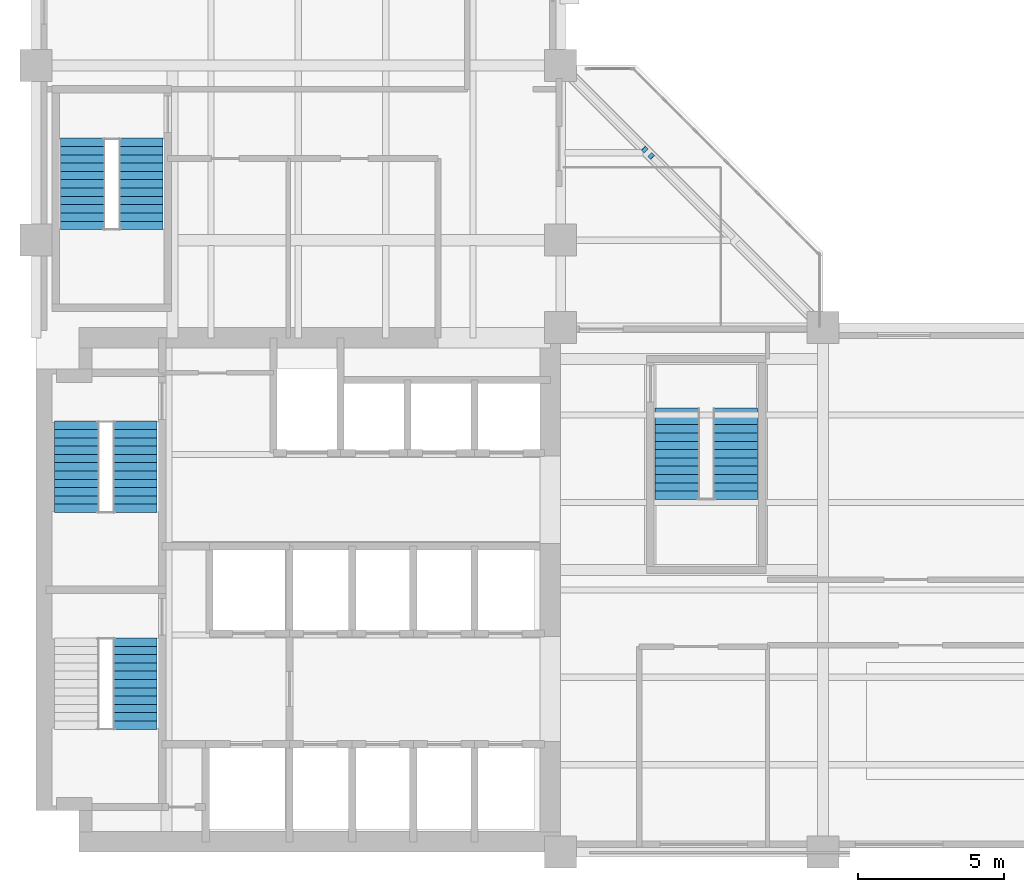
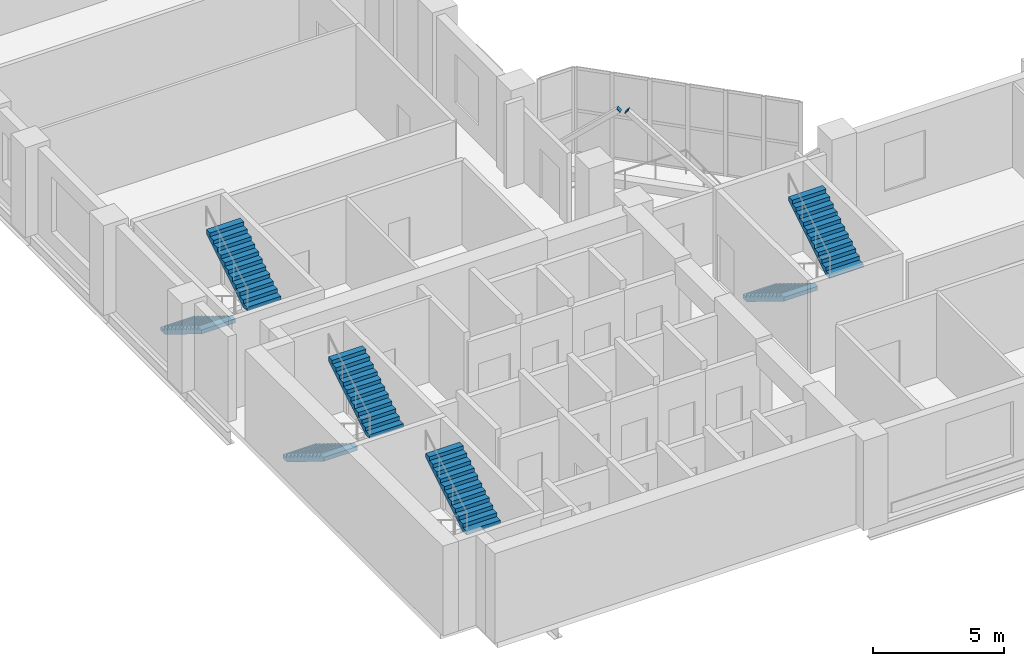
# One storey, part 8 of 10: 7 stair flights, 2 discrete accessories, 4 elements without a shape of their own.
"""IFC4 building model written with IfcOpenShell, lengths in metres."""

from ifc_helpers import new_model, si_unit, direction, frame, origin, origin_2d, place, context, subcontext, project, spatial, polyline, rectangle, outline, extrude, material, material_profile, profile_set, type_object, element, aggregate, save


model = new_model("IFC4")

# Units and contexts
model_context = context("Model", 3, precision=1e-05, world=origin(), true_north=direction((0.0, 1.0)))
body_context = subcontext(model_context, "Body", "Model", "MODEL_VIEW")
ifc_project = project(units=[si_unit("LENGTHUNIT", "METRE"), si_unit("AREAUNIT", "SQUARE_METRE"), si_unit("VOLUMEUNIT", "CUBIC_METRE"), si_unit("PLANEANGLEUNIT", "RADIAN"), si_unit("MASSUNIT", "GRAM", prefix="KILO")], contexts=[model_context])

# Site, building, storey
site_placement = place(None, origin())
site = spatial("IfcSite", under=ifc_project, at=site_placement, CompositionType="ELEMENT")
building_placement = place(site_placement, origin())
building = spatial("IfcBuilding", under=site, at=building_placement, Name="Mawjdan Bourse Tower", CompositionType="ELEMENT")
storey_placement = place(building_placement, frame((0.0, 0.0, 89.10009765625)))
storey = spatial("IfcBuildingStorey", under=building, at=storey_placement, Name="L20", CompositionType="ELEMENT", Elevation=89.10009765625)

# Stair, stair flight
ifc_material_1 = material(Name="Concrete C50/60", Category="concrete")
stair_type_1 = type_object("IfcStairType", Name="STR-CORE-1500", PredefinedType="HALF_TURN_STAIR", material=ifc_material_1)
stair_1_placement = place(storey_placement, origin())
stair_1 = element("IfcStair", 1, at=stair_1_placement, inside=storey, type_object=stair_type_1, Name="L20 Exit Stair 1 (Core South-West)", PredefinedType="HALF_TURN_STAIR")
stair_flight_type_1 = type_object("IfcStairFlightType", Name="SFL-RC-1500", PredefinedType="STRAIGHT", material=ifc_material_1)
stair_flight_1_placement = place(storey_placement, frame((9.409912109375, 7.215087890625, 2.099853515625), z_axis=(0.0, 0.0, 1.0), x_axis=(0.0, 1.0, 0.0)))
stair_flight_1 = element("IfcStairFlight", 2, at=stair_flight_1_placement, type_object=stair_flight_type_1, Name="ST1-L20 flight 2", NumberOfRisers=12, NumberOfTreads=11, PredefinedType="STRAIGHT", RiserHeight=0.175, TreadLength=0.285, context=body_context, shape_type="SweptSolid", body=[
    extrude(outline(polyline([(0.0, 0.0), (0.0, 0.175048828125), (0.284912109375, 0.175048828125), (0.284912109375, 0.35009765625), (0.570068359375, 0.35009765625), (0.570068359375, 0.52490234375), (0.85498046875, 0.52490234375), (0.85498046875, 0.699951171875), (1.139892578125, 0.699951171875), (1.139892578125, 0.875), (1.425048828125, 0.875), (1.425048828125, 1.050048828125), (1.7099609375, 1.050048828125), (1.7099609375, 1.22509765625), (1.9951171875, 1.22509765625), (1.9951171875, 1.39990234375), (2.280029296875, 1.39990234375), (2.280029296875, 1.574951171875), (2.56494140625, 1.574951171875), (2.56494140625, 1.75), (2.85009765625, 1.75), (2.85009765625, 1.925048828125), (3.135009765625, 1.925048828125), (3.135009765625, 2.10009765625), (3.135009765625, 1.7373046875), (0.3056640625, 0.0), (0.0, 0.0)])), frame((0.0, 0.75, 0.0), z_axis=(0.0, -1.0, 0.0), x_axis=(1.0, 0.0, 0.0)), (0.0, 0.0, 1.0), 1.5),
])
aggregate(stair_1, [stair_flight_1])

# Stair, stair flights
stair_2_placement = place(storey_placement, origin())
stair_2 = element("IfcStair", 3, at=stair_2_placement, inside=storey, type_object=stair_type_1, Name="L20 Exit Stair 2 (Core North-West)", PredefinedType="HALF_TURN_STAIR")
stair_flight_2_placement = place(storey_placement, frame((7.389892578125, 17.7900390625, 0.0), z_axis=(0.0, 0.0, 1.0), x_axis=(0.0, -1.0, 0.0)))
stair_flight_2 = element("IfcStairFlight", 4, at=stair_flight_2_placement, type_object=stair_flight_type_1, Name="ST2-L20 flight 1", NumberOfRisers=12, NumberOfTreads=11, PredefinedType="STRAIGHT", RiserHeight=0.175, TreadLength=0.285, context=body_context, shape_type="SweptSolid", body=[
    extrude(outline(polyline([(0.0, 0.0), (0.0, 0.175048828125), (0.284912109375, 0.175048828125), (0.284912109375, 0.35009765625), (0.570068359375, 0.35009765625), (0.570068359375, 0.52490234375), (0.85498046875, 0.52490234375), (0.85498046875, 0.699951171875), (1.139892578125, 0.699951171875), (1.139892578125, 0.875), (1.425048828125, 0.875), (1.425048828125, 1.050048828125), (1.7099609375, 1.050048828125), (1.7099609375, 1.22509765625), (1.9951171875, 1.22509765625), (1.9951171875, 1.39990234375), (2.280029296875, 1.39990234375), (2.280029296875, 1.574951171875), (2.56494140625, 1.574951171875), (2.56494140625, 1.75), (2.85009765625, 1.75), (2.85009765625, 1.925048828125), (3.135009765625, 1.925048828125), (3.135009765625, 2.10009765625), (3.135009765625, 1.7373046875), (0.3056640625, 0.0), (0.0, 0.0)])), frame((0.0, 0.75, 0.0), z_axis=(0.0, -1.0, 0.0), x_axis=(1.0, 0.0, 0.0)), (0.0, 0.0, 1.0), 1.5),
])
stair_flight_3_placement = place(storey_placement, frame((9.409912109375, 14.655029296875, 2.099853515625), z_axis=(0.0, 0.0, 1.0), x_axis=(0.0, 1.0, 0.0)))
stair_flight_3 = element("IfcStairFlight", 5, at=stair_flight_3_placement, type_object=stair_flight_type_1, Name="ST2-L20 flight 2", NumberOfRisers=12, NumberOfTreads=11, PredefinedType="STRAIGHT", RiserHeight=0.175, TreadLength=0.285, context=body_context, shape_type="SweptSolid", body=[
    extrude(outline(polyline([(0.0, 0.0), (0.0, 0.175048828125), (0.284912109375, 0.175048828125), (0.284912109375, 0.35009765625), (0.570068359375, 0.35009765625), (0.570068359375, 0.52490234375), (0.85498046875, 0.52490234375), (0.85498046875, 0.699951171875), (1.139892578125, 0.699951171875), (1.139892578125, 0.875), (1.425048828125, 0.875), (1.425048828125, 1.050048828125), (1.7099609375, 1.050048828125), (1.7099609375, 1.22509765625), (1.9951171875, 1.22509765625), (1.9951171875, 1.39990234375), (2.280029296875, 1.39990234375), (2.280029296875, 1.574951171875), (2.56494140625, 1.574951171875), (2.56494140625, 1.75), (2.85009765625, 1.75), (2.85009765625, 1.925048828125), (3.135009765625, 1.925048828125), (3.135009765625, 2.10009765625), (3.135009765625, 1.7373046875), (0.3056640625, 0.0), (0.0, 0.0)])), frame((0.0, 0.75, 0.0), z_axis=(0.0, -1.0, 0.0), x_axis=(1.0, 0.0, 0.0)), (0.0, 0.0, 1.0), 1.5),
])
aggregate(stair_2, [stair_flight_2, stair_flight_3])

stair_3_placement = place(storey_placement, origin())
stair_3 = element("IfcStair", 6, at=stair_3_placement, inside=storey, type_object=stair_type_1, Name="L20 Exit Stair 3 (North Wing)", PredefinedType="HALF_TURN_STAIR")
stair_flight_4_placement = place(storey_placement, frame((7.590087890625, 27.5, 0.0), z_axis=(0.0, 0.0, 1.0), x_axis=(0.0, -1.0, 0.0)))
stair_flight_4 = element("IfcStairFlight", 7, at=stair_flight_4_placement, type_object=stair_flight_type_1, Name="ST3-L20 flight 1", NumberOfRisers=12, NumberOfTreads=11, PredefinedType="STRAIGHT", RiserHeight=0.175, TreadLength=0.285, context=body_context, shape_type="SweptSolid", body=[
    extrude(outline(polyline([(0.0, 0.0), (0.0, 0.175048828125), (0.284912109375, 0.175048828125), (0.284912109375, 0.35009765625), (0.570068359375, 0.35009765625), (0.570068359375, 0.52490234375), (0.85498046875, 0.52490234375), (0.85498046875, 0.699951171875), (1.139892578125, 0.699951171875), (1.139892578125, 0.875), (1.425048828125, 0.875), (1.425048828125, 1.050048828125), (1.7099609375, 1.050048828125), (1.7099609375, 1.22509765625), (1.9951171875, 1.22509765625), (1.9951171875, 1.39990234375), (2.280029296875, 1.39990234375), (2.280029296875, 1.574951171875), (2.56494140625, 1.574951171875), (2.56494140625, 1.75), (2.85009765625, 1.75), (2.85009765625, 1.925048828125), (3.135009765625, 1.925048828125), (3.135009765625, 2.10009765625), (3.135009765625, 1.7373046875), (0.3056640625, 0.0), (0.0, 0.0)])), frame((0.0, 0.75, 0.0), z_axis=(0.0, -1.0, 0.0), x_axis=(1.0, 0.0, 0.0)), (0.0, 0.0, 1.0), 1.5),
])
stair_flight_5_placement = place(storey_placement, frame((9.610107421875, 24.364990234375, 2.099853515625), z_axis=(0.0, 0.0, 1.0), x_axis=(0.0, 1.0, 0.0)))
stair_flight_5 = element("IfcStairFlight", 8, at=stair_flight_5_placement, type_object=stair_flight_type_1, Name="ST3-L20 flight 2", NumberOfRisers=12, NumberOfTreads=11, PredefinedType="STRAIGHT", RiserHeight=0.175, TreadLength=0.285, context=body_context, shape_type="SweptSolid", body=[
    extrude(outline(polyline([(0.0, 0.0), (0.0, 0.175048828125), (0.284912109375, 0.175048828125), (0.284912109375, 0.35009765625), (0.570068359375, 0.35009765625), (0.570068359375, 0.52490234375), (0.85498046875, 0.52490234375), (0.85498046875, 0.699951171875), (1.139892578125, 0.699951171875), (1.139892578125, 0.875), (1.425048828125, 0.875), (1.425048828125, 1.050048828125), (1.7099609375, 1.050048828125), (1.7099609375, 1.22509765625), (1.9951171875, 1.22509765625), (1.9951171875, 1.39990234375), (2.280029296875, 1.39990234375), (2.280029296875, 1.574951171875), (2.56494140625, 1.574951171875), (2.56494140625, 1.75), (2.85009765625, 1.75), (2.85009765625, 1.925048828125), (3.135009765625, 1.925048828125), (3.135009765625, 2.10009765625), (3.135009765625, 1.7373046875), (0.3056640625, 0.0), (0.0, 0.0)])), frame((0.0, 0.75, 0.0), z_axis=(0.0, -1.0, 0.0), x_axis=(1.0, 0.0, 0.0)), (0.0, 0.0, 1.0), 1.5),
])
aggregate(stair_3, [stair_flight_4, stair_flight_5])

ifc_material_2 = material(Name="Structural Steel S355", Category="steel")
stair_type_2 = type_object("IfcStairType", Name="STR-SKY-1500", PredefinedType="HALF_TURN_STAIR", material=ifc_material_2)
stair_4_placement = place(storey_placement, origin())
stair_4 = element("IfcStair", 9, at=stair_4_placement, inside=storey, type_object=stair_type_2, Name="L20 Sky Lobby 1 Feature Stair", PredefinedType="HALF_TURN_STAIR")
stair_flight_type_2 = type_object("IfcStairFlightType", Name="SFL-STL-1800", PredefinedType="STRAIGHT", material=ifc_material_2)
stair_flight_6_placement = place(storey_placement, frame((27.989990234375, 18.239990234375, 0.0), z_axis=(0.0, 0.0, 1.0), x_axis=(0.0, -1.0, 0.0)))
stair_flight_6 = element("IfcStairFlight", 10, at=stair_flight_6_placement, type_object=stair_flight_type_2, Name="ST5A-L20 flight 1", NumberOfRisers=12, NumberOfTreads=11, PredefinedType="STRAIGHT", RiserHeight=0.175, TreadLength=0.285, context=body_context, shape_type="SweptSolid", body=[
    extrude(outline(polyline([(0.0, 0.0), (0.0, 0.175048828125), (0.284912109375, 0.175048828125), (0.284912109375, 0.35009765625), (0.570068359375, 0.35009765625), (0.570068359375, 0.52490234375), (0.85498046875, 0.52490234375), (0.85498046875, 0.699951171875), (1.139892578125, 0.699951171875), (1.139892578125, 0.875), (1.425048828125, 0.875), (1.425048828125, 1.050048828125), (1.7099609375, 1.050048828125), (1.7099609375, 1.22509765625), (1.9951171875, 1.22509765625), (1.9951171875, 1.39990234375), (2.280029296875, 1.39990234375), (2.280029296875, 1.574951171875), (2.56494140625, 1.574951171875), (2.56494140625, 1.75), (2.85009765625, 1.75), (2.85009765625, 1.925048828125), (3.135009765625, 1.925048828125), (3.135009765625, 2.10009765625), (3.135009765625, 1.7373046875), (0.3056640625, 0.0), (0.0, 0.0)])), frame((0.0, 0.75, 0.0), z_axis=(0.0, -1.0, 0.0), x_axis=(1.0, 0.0, 0.0)), (0.0, 0.0, 1.0), 1.5),
])
stair_flight_7_placement = place(storey_placement, frame((30.010009765625, 15.10498046875, 2.099853515625), z_axis=(0.0, 0.0, 1.0), x_axis=(0.0, 1.0, 0.0)))
stair_flight_7 = element("IfcStairFlight", 11, at=stair_flight_7_placement, type_object=stair_flight_type_2, Name="ST5A-L20 flight 2", NumberOfRisers=12, NumberOfTreads=11, PredefinedType="STRAIGHT", RiserHeight=0.175, TreadLength=0.285, context=body_context, shape_type="SweptSolid", body=[
    extrude(outline(polyline([(0.0, 0.0), (0.0, 0.175048828125), (0.284912109375, 0.175048828125), (0.284912109375, 0.35009765625), (0.570068359375, 0.35009765625), (0.570068359375, 0.52490234375), (0.85498046875, 0.52490234375), (0.85498046875, 0.699951171875), (1.139892578125, 0.699951171875), (1.139892578125, 0.875), (1.425048828125, 0.875), (1.425048828125, 1.050048828125), (1.7099609375, 1.050048828125), (1.7099609375, 1.22509765625), (1.9951171875, 1.22509765625), (1.9951171875, 1.39990234375), (2.280029296875, 1.39990234375), (2.280029296875, 1.574951171875), (2.56494140625, 1.574951171875), (2.56494140625, 1.75), (2.85009765625, 1.75), (2.85009765625, 1.925048828125), (3.135009765625, 1.925048828125), (3.135009765625, 2.10009765625), (3.135009765625, 1.7373046875), (0.3056640625, 0.0), (0.0, 0.0)])), frame((0.0, 0.75, 0.0), z_axis=(0.0, -1.0, 0.0), x_axis=(1.0, 0.0, 0.0)), (0.0, 0.0, 1.0), 1.5),
])
aggregate(stair_4, [stair_flight_6, stair_flight_7])

# Discrete accessories
ifc_material_profile = material_profile(ifc_material_2, rectangle(XDim=0.199951171875, YDim=0.199951171875, at=origin_2d()), Name="EPL-HSS200X200X10")
ifc_profile_set = profile_set([ifc_material_profile], Name="Structural Steel S355")
discrete_accessory_type = type_object("IfcDiscreteAccessoryType", Name="EPL-HSS200X200X10", PredefinedType="NOTDEFINED", material=ifc_profile_set)
for number, where, z_axis, x_axis, name in (
    (12, (26.8798828125, 27.1201171875, 3.5498046875), (0.535750996171, -0.535750996171, 0.652642122609), (0.707106781187, 0.707106781187, 0.0), "L20 Atrium Sky Bridge Truss Apex End Plate 1"),
    (13, (27.1201171875, 26.8798828125, 3.5498046875), (-0.535750996171, 0.535750996171, 0.652642122609), (-0.707106781187, -0.707106781187, 0.0), "L20 Atrium Sky Bridge Truss Apex End Plate 2"),
):
    element("IfcDiscreteAccessory", number, at=place(storey_placement, frame(where, z_axis=z_axis, x_axis=x_axis)), inside=storey, type_object=discrete_accessory_type, Name=name, PredefinedType="NOTDEFINED", context=body_context, shape_type="SweptSolid", body=[
        extrude(rectangle(XDim=0.199951171875, YDim=0.199951171875, at=origin_2d()), origin(), (0.0, 0.0, 1.0), 0.025146484375),
    ])

save(model, "model.ifc")
